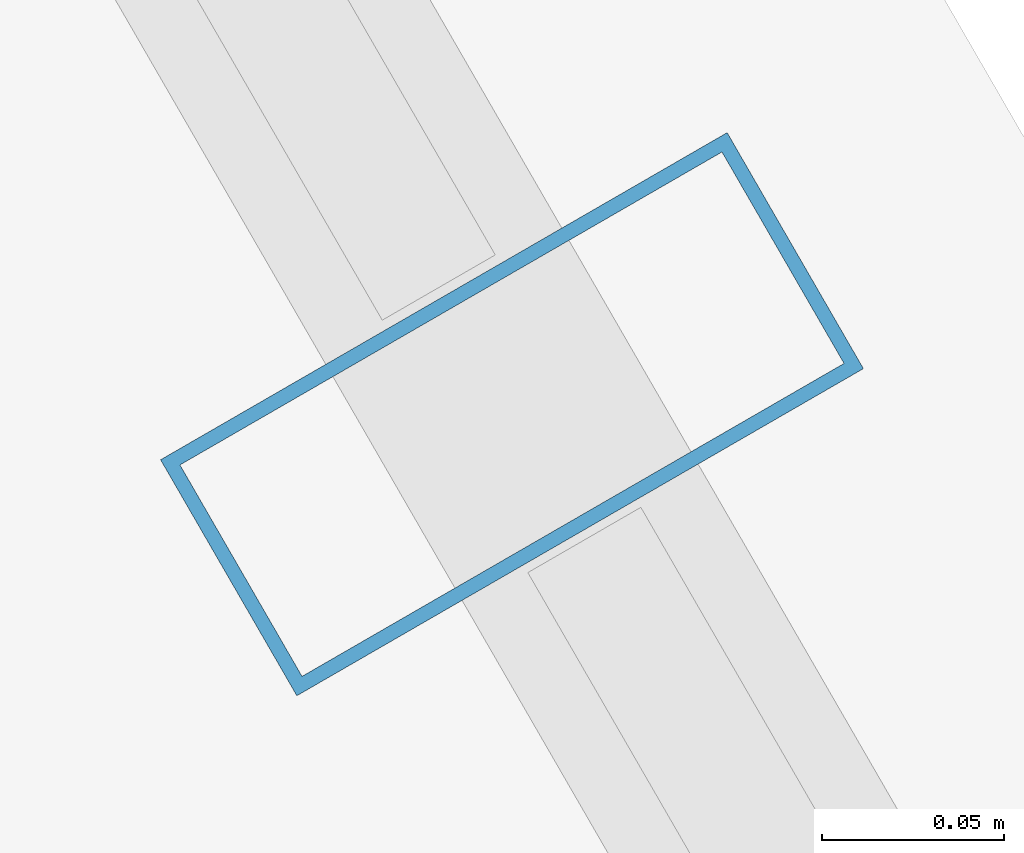
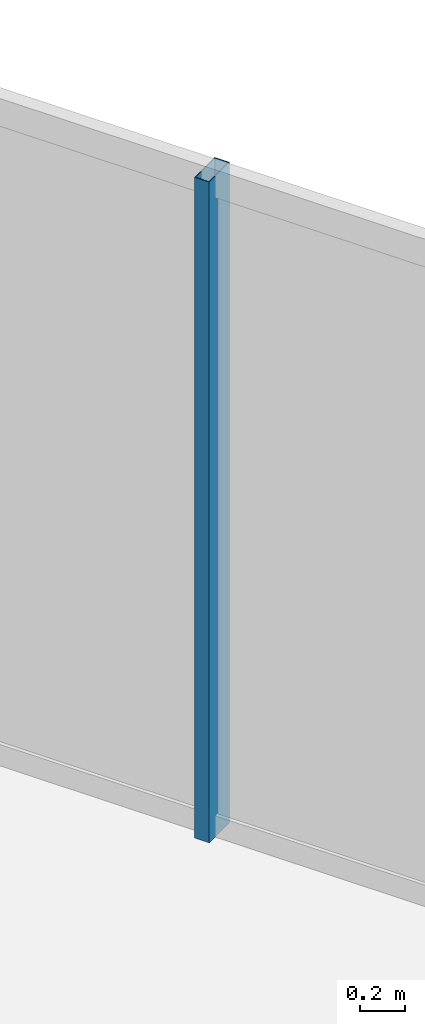
# One storey, part 19 of 31: 1 member, 1 element without a shape of its own.
"""IFC4 building model written with IfcOpenShell, lengths in metres."""

from ifc_helpers import new_model, si_unit, direction, frame, origin, origin_2d, place, context, subcontext, project, spatial, hollow_rectangle, extrude, material, layer, layer_set, material_profile, profile_set, type_object, element, aggregate, save


model = new_model("IFC4")

# Units and contexts
model_context = context("Model", 3, precision=1e-05, world=origin(), true_north=direction((0.0, 1.0)))
body_context = subcontext(model_context, "Body", "Model", "MODEL_VIEW")
ifc_project = project(units=[si_unit("LENGTHUNIT", "METRE"), si_unit("AREAUNIT", "SQUARE_METRE"), si_unit("VOLUMEUNIT", "CUBIC_METRE"), si_unit("PLANEANGLEUNIT", "RADIAN"), si_unit("MASSUNIT", "GRAM", prefix="KILO")], contexts=[model_context])

# Site, building, storey
site_placement = place(None, origin())
site = spatial("IfcSite", under=ifc_project, at=site_placement, CompositionType="ELEMENT")
building_placement = place(site_placement, origin())
building = spatial("IfcBuilding", under=site, at=building_placement, Name="Ndaravel Arena Tower", CompositionType="ELEMENT")
storey_placement = place(building_placement, frame((0.0, 0.0, 104.39990234375)))
storey = spatial("IfcBuildingStorey", under=building, at=storey_placement, Name="L24", CompositionType="ELEMENT", Elevation=104.39990234375)

# Curtain wall, member
ifc_material_1 = material(Name="Aluminium", Category="aluminium")
ifc_layer = layer(ifc_material_1, 0.179931640625)
ifc_layer_set = layer_set([ifc_layer], Name="Aluminium")
curtain_wall_type = type_object("IfcCurtainWallType", Name="CW-SYS-03", PredefinedType="NOTDEFINED", material=ifc_layer_set)
curtain_wall_placement = place(storey_placement, origin())
curtain_wall = element("IfcCurtainWall", 1, at=curtain_wall_placement, inside=storey, type_object=curtain_wall_type, Name="L24 Faceted Crystal Curtain Wall CW-L24-E03", PredefinedType="NOTDEFINED")
ifc_material_2 = material(Name="Aluminium", Category="aluminium")
ifc_material_profile = material_profile(ifc_material_2, hollow_rectangle(XDim=0.074951171875, YDim=0.179931640625, WallThickness=0.00390625, at=origin_2d()), Name="CW MULLION 75x180x4")
ifc_profile_set = profile_set([ifc_material_profile], Name="Aluminium")
member_type = type_object("IfcMemberType", Name="MEM-CW-MUL180", PredefinedType="MULLION", material=ifc_profile_set)
member_placement = place(storey_placement, frame((55.046142578125, 35.038818359375, 0.0), z_axis=(0.0, 0.0, 1.0), x_axis=(-0.5, 0.866025403784, 0.0)))
member = element("IfcMember", 2, at=member_placement, type_object=member_type, Name="CW-L24-E03 Mullion 05", PredefinedType="MULLION", context=body_context, shape_type="SweptSolid", body=[
    extrude(hollow_rectangle(XDim=0.074951171875, YDim=0.179931640625, WallThickness=0.00390625, at=origin_2d()), origin(), (0.0, 0.0, 1.0), 3.580078125),
])
aggregate(curtain_wall, [member])

save(model, "model.ifc")
